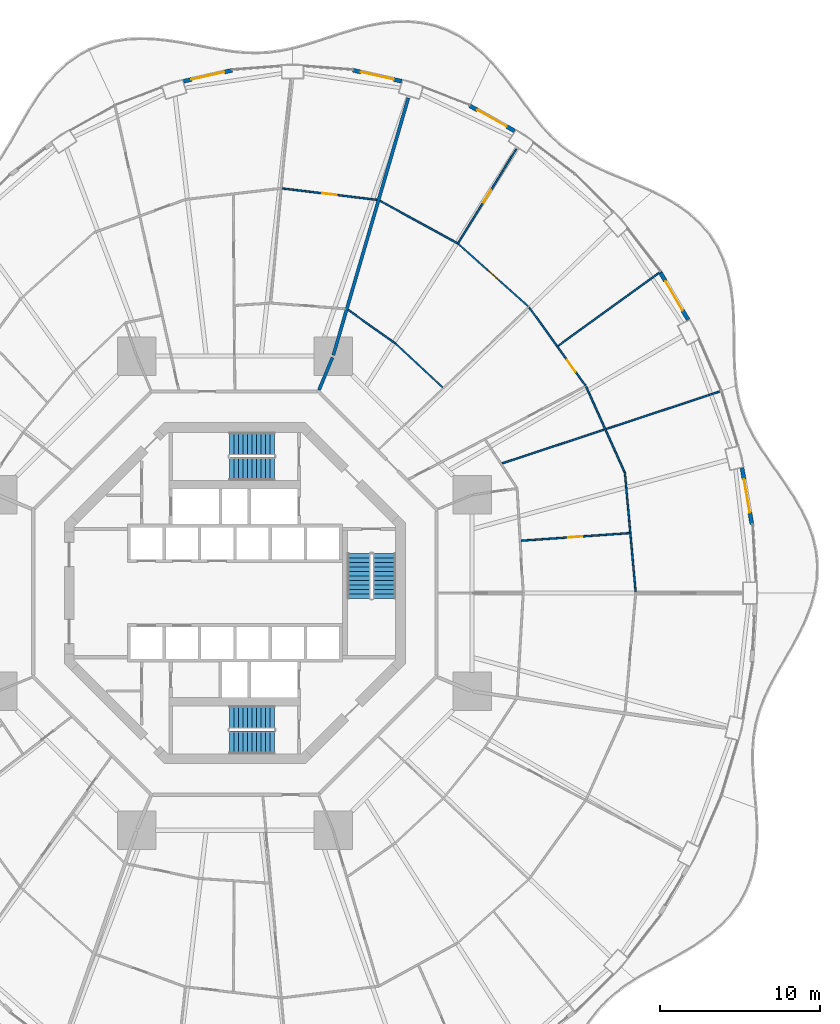
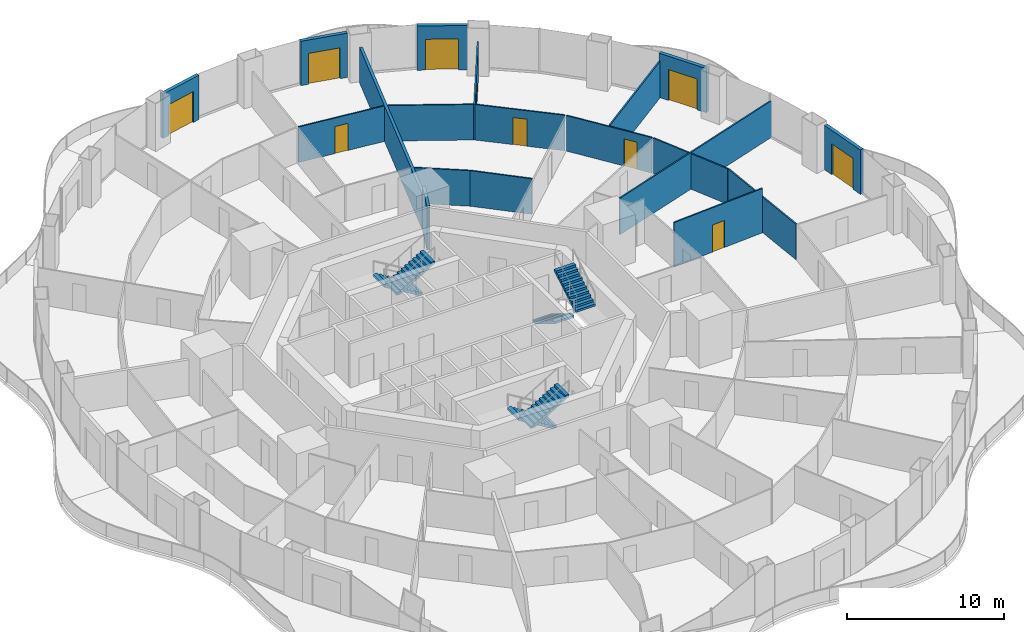
# One storey, part 19 of 22: 19 walls, 10 doors, 6 stair flights, 10 openings, 3 elements without a shape of their own.
"""IFC4 building model written with IfcOpenShell, lengths in metres."""

from ifc_helpers import new_model, si_unit, direction, frame, frame_2d, origin, place, context, subcontext, project, spatial, polyline, rectangle, outline, extrude, material, layer, layer_set, type_object, element, fill, aggregate, save


model = new_model("IFC4")

# Units and contexts
model_context = context("Model", 3, precision=1e-05, world=origin(), true_north=direction((0.0, 1.0)))
body_context = subcontext(model_context, "Body", "Model", "MODEL_VIEW")
ifc_project = project(units=[si_unit("LENGTHUNIT", "METRE"), si_unit("AREAUNIT", "SQUARE_METRE"), si_unit("VOLUMEUNIT", "CUBIC_METRE"), si_unit("PLANEANGLEUNIT", "RADIAN"), si_unit("MASSUNIT", "GRAM", prefix="KILO")], contexts=[model_context])

# Site, building, storey
site_placement = place(None, origin())
site = spatial("IfcSite", under=ifc_project, at=site_placement, CompositionType="ELEMENT")
building_placement = place(site_placement, origin())
building = spatial("IfcBuilding", under=site, at=building_placement, Name="Nagisa Residences", CompositionType="ELEMENT")
storey_placement = place(building_placement, frame((0.0, 0.0, 30.699951171875)))
storey = spatial("IfcBuildingStorey", under=building, at=storey_placement, Name="L06", CompositionType="ELEMENT", Elevation=30.699951171875)

# Walls
ifc_material_1 = material(Name="Gypsum board on steel studs", Category="steel")
ifc_layer_1 = layer(ifc_material_1, 0.199951171875)
ifc_layer_set_1 = layer_set([ifc_layer_1], Name="Apartment compartment wall EI60 200")
wall_type_1 = type_object("IfcWallType", Name="Apartment compartment wall EI60 200", PredefinedType="PARTITIONING", material=ifc_layer_set_1)
wall_1_placement = place(storey_placement, frame((5.24267578125, 12.6572265625, 0.0), z_axis=(0.0, 0.0, 1.0), x_axis=(0.382707856524, 0.923869415315, 0.0)))
element("IfcWall", 1, at=wall_1_placement, inside=storey, type_object=wall_type_1, Name="wall:L06:u00", PredefinedType="PARTITIONING", context=body_context, shape_type="SweptSolid", body=[
    extrude(rectangle(XDim=2.2001953125, YDim=0.199951171875, at=frame_2d((1.10009765625, 0.0))), origin(), (0.0, 0.0, 1.0), 3.43994140625),
])
wall_2_placement = place(storey_placement, frame((6.136962890625, 14.830078125, 0.0), z_axis=(0.0, 0.0, 1.0), x_axis=(0.27985745069, 0.960041565399, 0.0)))
element("IfcWall", 2, at=wall_2_placement, inside=storey, type_object=wall_type_1, Name="wall:L06:u01", PredefinedType="PARTITIONING", context=body_context, shape_type="SweptSolid", body=[
    extrude(rectangle(XDim=16.705078125, YDim=0.199951171875, at=frame_2d((8.3525390625, 0.0))), origin(), (0.0, 0.0, 1.0), 2.756103515625),
])
ifc_material_2 = material(Name="Gypsum board on steel studs", Category="steel")
ifc_layer_2 = layer(ifc_material_2, 0.10009765625)
ifc_layer_set_2 = layer_set([ifc_layer_2], Name="Apartment partition 100")
wall_type_2 = type_object("IfcWallType", Name="Apartment partition 100", PredefinedType="PARTITIONING", material=ifc_layer_set_2)
wall_3_placement = place(storey_placement, frame((24.982177734375, 0.0498046875, 0.0), z_axis=(0.0, 0.0, 1.0), x_axis=(-0.089444214321, 0.995991833563, 0.0)))
element("IfcWall", 3, at=wall_3_placement, inside=storey, type_object=wall_type_2, Name="wall:L06:u20", PredefinedType="PARTITIONING", context=body_context, shape_type="SweptSolid", body=[
    extrude(rectangle(XDim=7.522705078125, YDim=0.10009765625, at=frame_2d((3.76123046875, 0.0))), origin(), (0.0, 0.0, 1.0), 2.756103515625),
])

# Wall, opening, door
wall_4_placement = place(storey_placement, frame((17.8330078125, 3.266845703125, 0.0), z_axis=(0.0, 0.0, 1.0), x_axis=(0.997537184513, 0.070139614438, 0.0)))
wall_4 = element("IfcWall", 4, at=wall_4_placement, inside=storey, type_object=wall_type_2, Name="wall:L06:u22", PredefinedType="PARTITIONING", context=body_context, shape_type="SweptSolid", body=[
    extrude(rectangle(XDim=6.783935546875, YDim=0.10009765625, at=frame_2d((3.39208984375, 0.0))), origin(), (0.0, 0.0, 1.0), 3.43994140625),
])
opening_1_placement = place(wall_4_placement, frame((2.94189453125, 0.0, 0.0)))
opening_1 = element("IfcOpeningElement", 5, at=opening_1_placement, cuts=wall_4, Name="Opening L06-U11", PredefinedType="OPENING", context=body_context, shape_type="SweptSolid", body=[
    extrude(rectangle(XDim=0.89990234375, YDim=2.10009765625, at=frame_2d((0.449951171875, 1.050048828125))), frame((0.0, 0.06005859375, 0.0), z_axis=(0.0, -1.0, 0.0), x_axis=(1.0, 0.0, 0.0)), (0.0, 0.0, 1.0), 0.1201171875),
])
ifc_material_3 = material(Name="Timber door set", Category="wood")
door_type_1 = type_object("IfcDoorType", Name="Apartment door 900x2100", OperationType="NOTDEFINED", PredefinedType="DOOR", material=ifc_material_3)
door_1_placement = place(opening_1_placement, origin())
door_1 = element("IfcDoor", 6, at=door_1_placement, inside=storey, type_object=door_type_1, Name="Door to kitchen, Apartment 06A", OperationType="SINGLE_SWING_LEFT", OverallHeight=2.10009765625, OverallWidth=0.89990234375, PredefinedType="DOOR", context=body_context, shape_type="SweptSolid", body=[
    extrude(rectangle(XDim=0.89990234375, YDim=2.10009765625, at=frame_2d((0.449951171875, 1.050048828125))), frame((0.0, 0.02490234375, 0.0), z_axis=(0.0, -1.0, 0.0), x_axis=(1.0, 0.0, 0.0)), (0.0, 0.0, 1.0), 0.050048828125),
])
fill(opening_1, door_1)

# Walls
wall_5_placement = place(storey_placement, frame((24.293212890625, 7.5380859375, 0.0), z_axis=(0.0, 0.0, 1.0), x_axis=(-0.410197710154, 0.911996622025, 0.0)))
element("IfcWall", 7, at=wall_5_placement, inside=storey, type_object=wall_type_2, Name="wall:L06:u26", PredefinedType="PARTITIONING", context=body_context, shape_type="SweptSolid", body=[
    extrude(rectangle(XDim=5.8369140625, YDim=0.10009765625, at=frame_2d((2.91845703125, 0.0))), origin(), (0.0, 0.0, 1.0), 2.756103515625),
])
wall_6_placement = place(storey_placement, frame((16.634521484375, 8.077880859375, 0.0), z_axis=(0.0, 0.0, 1.0), x_axis=(0.949412285442, 0.314032342684, 0.0)))
element("IfcWall", 8, at=wall_6_placement, inside=storey, type_object=wall_type_2, Name="wall:L06:u27", PredefinedType="PARTITIONING", context=body_context, shape_type="SweptSolid", body=[
    extrude(rectangle(XDim=14.450927734375, YDim=0.10009765625, at=frame_2d((7.2255859375, 0.0))), origin(), (0.0, 0.0, 1.0), 2.837158203125),
])

# Wall, opening, door
wall_7_placement = place(storey_placement, frame((21.849365234375, 12.947509765625, 0.0), z_axis=(0.0, 0.0, 1.0), x_axis=(-0.584563700282, 0.811347817099, 0.0)))
wall_7 = element("IfcWall", 9, at=wall_7_placement, inside=storey, type_object=wall_type_2, Name="wall:L06:u29", PredefinedType="PARTITIONING", context=body_context, shape_type="SweptSolid", body=[
    extrude(rectangle(XDim=5.984375, YDim=0.10009765625, at=frame_2d((2.9921875, 0.0))), origin(), (0.0, 0.0, 1.0), 2.756103515625),
])
opening_2_placement = place(wall_7_placement, frame((1.046142578125, 0.0, 0.0)))
opening_2 = element("IfcOpeningElement", 10, at=opening_2_placement, cuts=wall_7, Name="Opening L06-U06", PredefinedType="OPENING", context=body_context, shape_type="SweptSolid", body=[
    extrude(rectangle(XDim=0.89990234375, YDim=2.10009765625, at=frame_2d((0.449951171875, 1.050048828125))), frame((0.0, 0.06005859375, 0.0), z_axis=(0.0, -1.0, 0.0), x_axis=(1.0, 0.0, 0.0)), (0.0, 0.0, 1.0), 0.1201171875),
])
door_2_placement = place(opening_2_placement, frame((0.89990234375, 0.0, 0.0), x_axis=(-1.0, 0.0, 0.0)))
door_2 = element("IfcDoor", 11, at=door_2_placement, inside=storey, type_object=door_type_1, Name="Door to master bedroom, Apartment 06A", OperationType="SINGLE_SWING_LEFT", OverallHeight=2.10009765625, OverallWidth=0.89990234375, PredefinedType="DOOR", context=body_context, shape_type="SweptSolid", body=[
    extrude(rectangle(XDim=0.89990234375, YDim=2.10009765625, at=frame_2d((0.449951171875, 1.050048828125))), frame((0.0, 0.02490234375, 0.0), z_axis=(0.0, -1.0, 0.0), x_axis=(1.0, 0.0, 0.0)), (0.0, 0.0, 1.0), 0.050048828125),
])
fill(opening_2, door_2)

# Walls
wall_8_placement = place(storey_placement, frame((20.140625, 15.404541015625, 0.0), z_axis=(0.0, 0.0, 1.0), x_axis=(0.809834895779, 0.58665785734, 0.0)))
element("IfcWall", 12, at=wall_8_placement, inside=storey, type_object=wall_type_2, Name="wall:L06:u30", PredefinedType="PARTITIONING", context=body_context, shape_type="SweptSolid", body=[
    extrude(rectangle(XDim=7.9453125, YDim=0.10009765625, at=frame_2d((3.97265625, 0.0))), origin(), (0.0, 0.0, 1.0), 2.837158203125),
])
wall_9_placement = place(storey_placement, frame((12.957763671875, 12.820068359375, 0.0), z_axis=(0.0, 0.0, 1.0), x_axis=(-0.732028724098, 0.681273768096, 0.0)))
element("IfcWall", 13, at=wall_9_placement, inside=storey, type_object=wall_type_2, Name="wall:L06:u32", PredefinedType="PARTITIONING", context=body_context, shape_type="SweptSolid", body=[
    extrude(rectangle(XDim=4.05029296875, YDim=0.10009765625, at=frame_2d((2.025146484375, 0.0))), origin(), (0.0, 0.0, 1.0), 2.756103515625),
])

# Wall, opening, door
wall_10_placement = place(storey_placement, frame((18.28466796875, 17.876953125, 0.0), z_axis=(0.0, 0.0, 1.0), x_axis=(-0.745806142791, 0.666163041136, 0.0)))
wall_10 = element("IfcWall", 14, at=wall_10_placement, inside=storey, type_object=wall_type_2, Name="wall:L06:u33", PredefinedType="PARTITIONING", context=body_context, shape_type="SweptSolid", body=[
    extrude(rectangle(XDim=5.83056640625, YDim=0.10009765625, at=frame_2d((2.915283203125, 0.0))), origin(), (0.0, 0.0, 1.0), 2.756103515625),
])
opening_3_placement = place(wall_10_placement, frame((2.46533203125, 0.0, 0.0)))
opening_3 = element("IfcOpeningElement", 15, at=opening_3_placement, cuts=wall_10, Name="Opening L06-U07", PredefinedType="OPENING", context=body_context, shape_type="SweptSolid", body=[
    extrude(rectangle(XDim=0.89990234375, YDim=2.10009765625, at=frame_2d((0.449951171875, 1.050048828125))), frame((0.0, 0.06005859375, 0.0), z_axis=(0.0, -1.0, 0.0), x_axis=(1.0, 0.0, 0.0)), (0.0, 0.0, 1.0), 0.1201171875),
])
door_3_placement = place(opening_3_placement, frame((0.89990234375, 0.0, 0.0), x_axis=(-1.0, 0.0, 0.0)))
door_3 = element("IfcDoor", 16, at=door_3_placement, inside=storey, type_object=door_type_1, Name="Door to family room, Apartment 06A", OperationType="SINGLE_SWING_RIGHT", OverallHeight=2.10009765625, OverallWidth=0.89990234375, PredefinedType="DOOR", context=body_context, shape_type="SweptSolid", body=[
    extrude(rectangle(XDim=0.89990234375, YDim=2.10009765625, at=frame_2d((0.449951171875, 1.050048828125))), frame((0.0, 0.02490234375, 0.0), z_axis=(0.0, -1.0, 0.0), x_axis=(1.0, 0.0, 0.0)), (0.0, 0.0, 1.0), 0.050048828125),
])
fill(opening_3, door_3)

# Wall
wall_11_placement = place(storey_placement, frame((9.98876953125, 15.57421875, 0.0), z_axis=(0.0, 0.0, 1.0), x_axis=(-0.81492039338, 0.57957290521, 0.0)))
element("IfcWall", 17, at=wall_11_placement, inside=storey, type_object=wall_type_2, Name="wall:L06:u34", PredefinedType="PARTITIONING", context=body_context, shape_type="SweptSolid", body=[
    extrude(rectangle(XDim=3.594482421875, YDim=0.10009765625, at=frame_2d((1.79736328125, 0.0))), origin(), (0.0, 0.0, 1.0), 2.756103515625),
])

# Wall, opening, door
wall_12_placement = place(storey_placement, frame((13.87255859375, 21.751708984375, 0.0), z_axis=(0.0, 0.0, 1.0), x_axis=(0.52644491616, 0.850209239099, 0.0)))
wall_12 = element("IfcWall", 18, at=wall_12_placement, inside=storey, type_object=wall_type_2, Name="wall:L06:u35", PredefinedType="PARTITIONING", context=body_context, shape_type="SweptSolid", body=[
    extrude(rectangle(XDim=6.98046875, YDim=0.10009765625, at=frame_2d((3.490234375, 0.0))), origin(), (0.0, 0.0, 1.0), 2.756103515625),
])
opening_4_placement = place(wall_12_placement, frame((3.065185546875, 0.0, 0.0)))
opening_4 = element("IfcOpeningElement", 19, at=opening_4_placement, cuts=wall_12, Name="Opening L06-U08", PredefinedType="OPENING", context=body_context, shape_type="SweptSolid", body=[
    extrude(rectangle(XDim=0.89990234375, YDim=2.10009765625, at=frame_2d((0.449951171875, 1.050048828125))), frame((0.0, 0.06005859375, 0.0), z_axis=(0.0, -1.0, 0.0), x_axis=(1.0, 0.0, 0.0)), (0.0, 0.0, 1.0), 0.1201171875),
])
door_4_placement = place(opening_4_placement, origin())
door_4 = element("IfcDoor", 20, at=door_4_placement, inside=storey, type_object=door_type_1, Name="Door to master bedroom, Apartment 06A", OperationType="SINGLE_SWING_RIGHT", OverallHeight=2.10009765625, OverallWidth=0.89990234375, PredefinedType="DOOR", context=body_context, shape_type="SweptSolid", body=[
    extrude(rectangle(XDim=0.89990234375, YDim=2.10009765625, at=frame_2d((0.449951171875, 1.050048828125))), frame((0.0, 0.02490234375, 0.0), z_axis=(0.0, -1.0, 0.0), x_axis=(1.0, 0.0, 0.0)), (0.0, 0.0, 1.0), 0.050048828125),
])
fill(opening_4, door_4)

# Wall
wall_13_placement = place(storey_placement, frame((13.85498046875, 21.818359375, 0.0), z_axis=(0.0, 0.0, 1.0), x_axis=(-0.876809987787, 0.480837025734, 0.0)))
element("IfcWall", 21, at=wall_13_placement, inside=storey, type_object=wall_type_2, Name="wall:L06:u36", PredefinedType="PARTITIONING", context=body_context, shape_type="SweptSolid", body=[
    extrude(rectangle(XDim=5.486083984375, YDim=0.10009765625, at=frame_2d((2.7431640625, 0.0))), origin(), (0.0, 0.0, 1.0), 2.756103515625),
])

# Wall, opening, door
wall_14_placement = place(storey_placement, frame((8.857666015625, 24.516357421875, 0.0), z_axis=(0.0, 0.0, 1.0), x_axis=(-0.992834127896, 0.119500604542, 0.0)))
wall_14 = element("IfcWall", 22, at=wall_14_placement, inside=storey, type_object=wall_type_2, Name="wall:L06:u38", PredefinedType="PARTITIONING", context=body_context, shape_type="SweptSolid", body=[
    extrude(rectangle(XDim=5.95947265625, YDim=0.10009765625, at=frame_2d((2.979736328125, 0.0))), origin(), (0.0, 0.0, 1.0), 2.756103515625),
])
opening_5_placement = place(wall_14_placement, frame((2.52978515625, 0.0, 0.0)))
opening_5 = element("IfcOpeningElement", 23, at=opening_5_placement, cuts=wall_14, Name="Opening L06-U22", PredefinedType="OPENING", context=body_context, shape_type="SweptSolid", body=[
    extrude(rectangle(XDim=0.89990234375, YDim=2.10009765625, at=frame_2d((0.449951171875, 1.050048828125))), frame((0.0, 0.06005859375, 0.0), z_axis=(0.0, -1.0, 0.0), x_axis=(1.0, 0.0, 0.0)), (0.0, 0.0, 1.0), 0.1201171875),
])
door_5_placement = place(opening_5_placement, frame((0.89990234375, 0.0, 0.0), x_axis=(-1.0, 0.0, 0.0)))
door_5 = element("IfcDoor", 24, at=door_5_placement, inside=storey, type_object=door_type_1, Name="Door to master bedroom, Apartment 06B", OperationType="SINGLE_SWING_LEFT", OverallHeight=2.10009765625, OverallWidth=0.89990234375, PredefinedType="DOOR", context=body_context, shape_type="SweptSolid", body=[
    extrude(rectangle(XDim=0.89990234375, YDim=2.10009765625, at=frame_2d((0.449951171875, 1.050048828125))), frame((0.0, 0.02490234375, 0.0), z_axis=(0.0, -1.0, 0.0), x_axis=(1.0, 0.0, 0.0)), (0.0, 0.0, 1.0), 0.050048828125),
])
fill(opening_5, door_5)

ifc_material_4 = material(Name="Precast concrete C40/50", Category="concrete")
ifc_layer_3 = layer(ifc_material_4, 0.25)
ifc_layer_set_3 = layer_set([ifc_layer_3], Name="BALCONY DOOR WALL 250")
wall_type_3 = type_object("IfcWallType", Name="BALCONY DOOR WALL 250", PredefinedType="SOLIDWALL", material=ifc_layer_set_3)
wall_15_placement = place(storey_placement, frame((31.609130859375, 7.830078125, 0.0), z_axis=(0.0, 0.0, 1.0), x_axis=(0.172217377323, -0.98505897029, 0.0)))
wall_15 = element("IfcWall", 25, at=wall_15_placement, inside=storey, type_object=wall_type_3, Name="wall:L06:bay01", PredefinedType="SOLIDWALL", context=body_context, shape_type="SweptSolid", body=[
    extrude(rectangle(XDim=3.597900390625, YDim=0.25, at=frame_2d((1.798828125, 0.0))), origin(), (0.0, 0.0, 1.0), 3.43994140625),
])
opening_6_placement = place(wall_15_placement, frame((0.7490234375, 0.0, 0.0)))
opening_6 = element("IfcOpeningElement", 26, at=opening_6_placement, cuts=wall_15, Name="Opening BD-L06-01", PredefinedType="OPENING", context=body_context, shape_type="SweptSolid", body=[
    extrude(rectangle(XDim=2.10009765625, YDim=2.39990234375, at=frame_2d((1.050048828125, 1.199951171875))), frame((0.0, 0.135009765625, 0.0), z_axis=(0.0, -1.0, 0.0), x_axis=(1.0, 0.0, 0.0)), (0.0, 0.0, 1.0), 0.27001953125),
])
ifc_material_5 = material(Name="Aluminium and clear glass", Category="aluminium")
door_type_2 = type_object("IfcDoorType", Name="BALCONY SLIDING DOOR 2100x2400", OperationType="SLIDING_TO_LEFT", PredefinedType="DOOR", material=ifc_material_5)
door_6_placement = place(opening_6_placement, origin())
door_6 = element("IfcDoor", 27, at=door_6_placement, inside=storey, type_object=door_type_2, Name="door:L06:bay01", OperationType="SLIDING_TO_LEFT", OverallHeight=2.39990234375, OverallWidth=2.10009765625, PredefinedType="DOOR", context=body_context, shape_type="SweptSolid", body=[
    extrude(rectangle(XDim=2.10009765625, YDim=2.39990234375, at=frame_2d((1.050048828125, 1.199951171875))), frame((0.0, 0.02490234375, 0.0), z_axis=(0.0, -1.0, 0.0), x_axis=(1.0, 0.0, 0.0)), (0.0, 0.0, 1.0), 0.050048828125),
])
fill(opening_6, door_6)

wall_16_placement = place(storey_placement, frame((26.49951171875, 20.02587890625, 0.0), z_axis=(0.0, 0.0, 1.0), x_axis=(0.506311160839, -0.862350861546, 0.0)))
wall_16 = element("IfcWall", 28, at=wall_16_placement, inside=storey, type_object=wall_type_3, Name="wall:L06:bay04", PredefinedType="SOLIDWALL", context=body_context, shape_type="SweptSolid", body=[
    extrude(rectangle(XDim=3.462158203125, YDim=0.25, at=frame_2d((1.73095703125, 0.0))), origin(), (0.0, 0.0, 1.0), 3.43994140625),
])
opening_7_placement = place(wall_16_placement, frame((0.68115234375, 0.0, 0.0)))
opening_7 = element("IfcOpeningElement", 29, at=opening_7_placement, cuts=wall_16, Name="Opening BD-L06-02", PredefinedType="OPENING", context=body_context, shape_type="SweptSolid", body=[
    extrude(rectangle(XDim=2.10009765625, YDim=2.39990234375, at=frame_2d((1.050048828125, 1.199951171875))), frame((0.0, 0.135009765625, 0.0), z_axis=(0.0, -1.0, 0.0), x_axis=(1.0, 0.0, 0.0)), (0.0, 0.0, 1.0), 0.27001953125),
])
door_7_placement = place(opening_7_placement, origin())
door_7 = element("IfcDoor", 30, at=door_7_placement, inside=storey, type_object=door_type_2, Name="door:L06:bay04", OperationType="SLIDING_TO_LEFT", OverallHeight=2.39990234375, OverallWidth=2.10009765625, PredefinedType="DOOR", context=body_context, shape_type="SweptSolid", body=[
    extrude(rectangle(XDim=2.10009765625, YDim=2.39990234375, at=frame_2d((1.050048828125, 1.199951171875))), frame((0.0, 0.02490234375, 0.0), z_axis=(0.0, -1.0, 0.0), x_axis=(1.0, 0.0, 0.0)), (0.0, 0.0, 1.0), 0.050048828125),
])
fill(opening_7, door_7)

wall_17_placement = place(storey_placement, frame((14.63671875, 30.37890625, 0.0), z_axis=(0.0, 0.0, 1.0), x_axis=(0.872102558443, -0.489323132048, 0.0)))
wall_17 = element("IfcWall", 31, at=wall_17_placement, inside=storey, type_object=wall_type_3, Name="wall:L06:bay08", PredefinedType="SOLIDWALL", context=body_context, shape_type="SweptSolid", body=[
    extrude(rectangle(XDim=3.201171875, YDim=0.25, at=frame_2d((1.6005859375, 0.0))), origin(), (0.0, 0.0, 1.0), 3.43994140625),
])
opening_8_placement = place(wall_17_placement, frame((0.550537109375, 0.0, 0.0)))
opening_8 = element("IfcOpeningElement", 32, at=opening_8_placement, cuts=wall_17, Name="Opening BD-L06-03", PredefinedType="OPENING", context=body_context, shape_type="SweptSolid", body=[
    extrude(rectangle(XDim=2.10009765625, YDim=2.39990234375, at=frame_2d((1.050048828125, 1.199951171875))), frame((0.0, 0.135009765625, 0.0), z_axis=(0.0, -1.0, 0.0), x_axis=(1.0, 0.0, 0.0)), (0.0, 0.0, 1.0), 0.27001953125),
])
door_8_placement = place(opening_8_placement, origin())
door_8 = element("IfcDoor", 33, at=door_8_placement, inside=storey, type_object=door_type_2, Name="door:L06:bay08", OperationType="SLIDING_TO_LEFT", OverallHeight=2.39990234375, OverallWidth=2.10009765625, PredefinedType="DOOR", context=body_context, shape_type="SweptSolid", body=[
    extrude(rectangle(XDim=2.10009765625, YDim=2.39990234375, at=frame_2d((1.050048828125, 1.199951171875))), frame((0.0, 0.02490234375, 0.0), z_axis=(0.0, -1.0, 0.0), x_axis=(1.0, 0.0, 0.0)), (0.0, 0.0, 1.0), 0.050048828125),
])
fill(opening_8, door_8)

wall_18_placement = place(storey_placement, frame((7.357666015625, 32.595703125, 0.0), z_axis=(0.0, 0.0, 1.0), x_axis=(0.97533495413, -0.220729987208, 0.0)))
wall_18 = element("IfcWall", 34, at=wall_18_placement, inside=storey, type_object=wall_type_3, Name="wall:L06:bay10", PredefinedType="SOLIDWALL", context=body_context, shape_type="SweptSolid", body=[
    extrude(rectangle(XDim=3.11474609375, YDim=0.25, at=frame_2d((1.557373046875, 0.0))), origin(), (0.0, 0.0, 1.0), 3.43994140625),
])
opening_9_placement = place(wall_18_placement, frame((0.50732421875, 0.0, 0.0)))
opening_9 = element("IfcOpeningElement", 35, at=opening_9_placement, cuts=wall_18, Name="Opening BD-L06-04", PredefinedType="OPENING", context=body_context, shape_type="SweptSolid", body=[
    extrude(rectangle(XDim=2.10009765625, YDim=2.39990234375, at=frame_2d((1.050048828125, 1.199951171875))), frame((0.0, 0.135009765625, 0.0), z_axis=(0.0, -1.0, 0.0), x_axis=(1.0, 0.0, 0.0)), (0.0, 0.0, 1.0), 0.27001953125),
])
door_9_placement = place(opening_9_placement, origin())
door_9 = element("IfcDoor", 36, at=door_9_placement, inside=storey, type_object=door_type_2, Name="door:L06:bay10", OperationType="SLIDING_TO_LEFT", OverallHeight=2.39990234375, OverallWidth=2.10009765625, PredefinedType="DOOR", context=body_context, shape_type="SweptSolid", body=[
    extrude(rectangle(XDim=2.10009765625, YDim=2.39990234375, at=frame_2d((1.050048828125, 1.199951171875))), frame((0.0, 0.02490234375, 0.0), z_axis=(0.0, -1.0, 0.0), x_axis=(1.0, 0.0, 0.0)), (0.0, 0.0, 1.0), 0.050048828125),
])
fill(opening_9, door_9)

wall_19_placement = place(storey_placement, frame((-3.1953125, 31.908203125, 0.0), z_axis=(0.0, 0.0, 1.0), x_axis=(0.975331134677, 0.220746863466, 0.0)))
wall_19 = element("IfcWall", 37, at=wall_19_placement, inside=storey, type_object=wall_type_3, Name="wall:L06:bay13", PredefinedType="SOLIDWALL", context=body_context, shape_type="SweptSolid", body=[
    extrude(rectangle(XDim=3.114501953125, YDim=0.25, at=frame_2d((1.55712890625, 0.0))), origin(), (0.0, 0.0, 1.0), 3.43994140625),
])
opening_10_placement = place(wall_19_placement, frame((0.50732421875, 0.0, 0.0)))
opening_10 = element("IfcOpeningElement", 38, at=opening_10_placement, cuts=wall_19, Name="Opening BD-L06-05", PredefinedType="OPENING", context=body_context, shape_type="SweptSolid", body=[
    extrude(rectangle(XDim=2.10009765625, YDim=2.39990234375, at=frame_2d((1.050048828125, 1.199951171875))), frame((0.0, 0.135009765625, 0.0), z_axis=(0.0, -1.0, 0.0), x_axis=(1.0, 0.0, 0.0)), (0.0, 0.0, 1.0), 0.27001953125),
])
door_10_placement = place(opening_10_placement, origin())
door_10 = element("IfcDoor", 39, at=door_10_placement, inside=storey, type_object=door_type_2, Name="door:L06:bay13", OperationType="SLIDING_TO_LEFT", OverallHeight=2.39990234375, OverallWidth=2.10009765625, PredefinedType="DOOR", context=body_context, shape_type="SweptSolid", body=[
    extrude(rectangle(XDim=2.10009765625, YDim=2.39990234375, at=frame_2d((1.050048828125, 1.199951171875))), frame((0.0, 0.02490234375, 0.0), z_axis=(0.0, -1.0, 0.0), x_axis=(1.0, 0.0, 0.0)), (0.0, 0.0, 1.0), 0.050048828125),
])
fill(opening_10, door_10)

# Stair, stair flights
ifc_material_6 = material(Name="Concrete C60", Category="concrete")
stair_type = type_object("IfcStairType", Name="Exit stair", PredefinedType="HALF_TURN_STAIR", material=ifc_material_6)
stair_1_placement = place(storey_placement, origin())
stair_1 = element("IfcStair", 40, at=stair_1_placement, inside=storey, type_object=stair_type, Name="L06 Exit stair E", PredefinedType="HALF_TURN_STAIR")
ifc_material_7 = material(Name="Concrete C60", Category="concrete")
stair_flight_type = type_object("IfcStairFlightType", Name="Exit stair flight", PredefinedType="STRAIGHT", material=ifc_material_7)
stair_flight_1_placement = place(storey_placement, frame((7.737060546875, 2.47509765625, 0.0), z_axis=(0.0, 0.0, 1.0), x_axis=(0.0, -1.0, 0.0)))
stair_flight_1 = element("IfcStairFlight", 41, at=stair_flight_1_placement, type_object=stair_flight_type, Name="ST-E flight 1", NumberOfRisers=11, NumberOfTreads=10, PredefinedType="STRAIGHT", RiserHeight=0.168181818, TreadLength=0.28, context=body_context, shape_type="SweptSolid", body=[
    extrude(outline(polyline([(0.0, 0.0), (0.0, 0.168212890625), (0.280029296875, 0.168212890625), (0.280029296875, 0.33642578125), (0.56005859375, 0.33642578125), (0.56005859375, 0.504638671875), (0.840087890625, 0.504638671875), (0.840087890625, 0.672607421875), (1.1201171875, 0.672607421875), (1.1201171875, 0.8408203125), (1.39990234375, 0.8408203125), (1.39990234375, 1.009033203125), (1.679931640625, 1.009033203125), (1.679931640625, 1.17724609375), (1.9599609375, 1.17724609375), (1.9599609375, 1.345458984375), (2.239990234375, 1.345458984375), (2.239990234375, 1.513671875), (2.52001953125, 1.513671875), (2.52001953125, 1.681884765625), (2.800048828125, 1.681884765625), (2.800048828125, 1.85009765625), (2.800048828125, 1.5068359375), (0.291015625, 0.0), (0.0, 0.0)])), frame((0.0, 0.71240234375, 0.0), z_axis=(0.0, -1.0, 0.0), x_axis=(1.0, 0.0, 0.0)), (0.0, 0.0, 1.0), 1.425048828125),
])
stair_flight_2_placement = place(storey_placement, frame((9.31201171875, -0.324951171875, 1.85009765625), z_axis=(0.0, 0.0, 1.0), x_axis=(0.0, 1.0, 0.0)))
stair_flight_2 = element("IfcStairFlight", 42, at=stair_flight_2_placement, type_object=stair_flight_type, Name="ST-E flight 2", NumberOfRisers=11, NumberOfTreads=10, PredefinedType="STRAIGHT", RiserHeight=0.168181818, TreadLength=0.28, context=body_context, shape_type="SweptSolid", body=[
    extrude(outline(polyline([(0.0, 0.0), (0.0, 0.168212890625), (0.280029296875, 0.168212890625), (0.280029296875, 0.33642578125), (0.56005859375, 0.33642578125), (0.56005859375, 0.504638671875), (0.840087890625, 0.504638671875), (0.840087890625, 0.672607421875), (1.1201171875, 0.672607421875), (1.1201171875, 0.8408203125), (1.39990234375, 0.8408203125), (1.39990234375, 1.009033203125), (1.679931640625, 1.009033203125), (1.679931640625, 1.17724609375), (1.9599609375, 1.17724609375), (1.9599609375, 1.345458984375), (2.239990234375, 1.345458984375), (2.239990234375, 1.513671875), (2.52001953125, 1.513671875), (2.52001953125, 1.681884765625), (2.800048828125, 1.681884765625), (2.800048828125, 1.85009765625), (2.800048828125, 1.5068359375), (0.291015625, 0.0), (0.0, 0.0)])), frame((0.0, 0.71240234375, 0.0), z_axis=(0.0, -1.0, 0.0), x_axis=(1.0, 0.0, 0.0)), (0.0, 0.0, 1.0), 1.425048828125),
])
aggregate(stair_1, [stair_flight_1, stair_flight_2])

stair_2_placement = place(storey_placement, origin())
stair_2 = element("IfcStair", 43, at=stair_2_placement, inside=storey, type_object=stair_type, Name="L06 Exit stair N", PredefinedType="HALF_TURN_STAIR")
stair_flight_3_placement = place(storey_placement, frame((2.47509765625, 9.31201171875, 0.0), z_axis=(0.0, 0.0, 1.0), x_axis=(-1.0, 0.0, 0.0)))
stair_flight_3 = element("IfcStairFlight", 44, at=stair_flight_3_placement, type_object=stair_flight_type, Name="ST-N flight 1", NumberOfRisers=11, NumberOfTreads=10, PredefinedType="STRAIGHT", RiserHeight=0.168181818, TreadLength=0.28, context=body_context, shape_type="SweptSolid", body=[
    extrude(outline(polyline([(0.0, 0.0), (0.0, 0.168212890625), (0.280029296875, 0.168212890625), (0.280029296875, 0.33642578125), (0.56005859375, 0.33642578125), (0.56005859375, 0.504638671875), (0.840087890625, 0.504638671875), (0.840087890625, 0.672607421875), (1.1201171875, 0.672607421875), (1.1201171875, 0.8408203125), (1.39990234375, 0.8408203125), (1.39990234375, 1.009033203125), (1.679931640625, 1.009033203125), (1.679931640625, 1.17724609375), (1.9599609375, 1.17724609375), (1.9599609375, 1.345458984375), (2.239990234375, 1.345458984375), (2.239990234375, 1.513671875), (2.52001953125, 1.513671875), (2.52001953125, 1.681884765625), (2.800048828125, 1.681884765625), (2.800048828125, 1.85009765625), (2.800048828125, 1.5068359375), (0.291015625, 0.0), (0.0, 0.0)])), frame((0.0, 0.71240234375, 0.0), z_axis=(0.0, -1.0, 0.0), x_axis=(1.0, 0.0, 0.0)), (0.0, 0.0, 1.0), 1.425048828125),
])
stair_flight_4_placement = place(storey_placement, frame((-0.324951171875, 7.737060546875, 1.85009765625), z_axis=(0.0, 0.0, 1.0), x_axis=(1.0, 0.0, 0.0)))
stair_flight_4 = element("IfcStairFlight", 45, at=stair_flight_4_placement, type_object=stair_flight_type, Name="ST-N flight 2", NumberOfRisers=11, NumberOfTreads=10, PredefinedType="STRAIGHT", RiserHeight=0.168181818, TreadLength=0.28, context=body_context, shape_type="SweptSolid", body=[
    extrude(outline(polyline([(0.0, 0.0), (0.0, 0.168212890625), (0.280029296875, 0.168212890625), (0.280029296875, 0.33642578125), (0.56005859375, 0.33642578125), (0.56005859375, 0.504638671875), (0.840087890625, 0.504638671875), (0.840087890625, 0.672607421875), (1.1201171875, 0.672607421875), (1.1201171875, 0.8408203125), (1.39990234375, 0.8408203125), (1.39990234375, 1.009033203125), (1.679931640625, 1.009033203125), (1.679931640625, 1.17724609375), (1.9599609375, 1.17724609375), (1.9599609375, 1.345458984375), (2.239990234375, 1.345458984375), (2.239990234375, 1.513671875), (2.52001953125, 1.513671875), (2.52001953125, 1.681884765625), (2.800048828125, 1.681884765625), (2.800048828125, 1.85009765625), (2.800048828125, 1.5068359375), (0.291015625, 0.0), (0.0, 0.0)])), frame((0.0, 0.71240234375, 0.0), z_axis=(0.0, -1.0, 0.0), x_axis=(1.0, 0.0, 0.0)), (0.0, 0.0, 1.0), 1.425048828125),
])
aggregate(stair_2, [stair_flight_3, stair_flight_4])

stair_3_placement = place(storey_placement, origin())
stair_3 = element("IfcStair", 46, at=stair_3_placement, inside=storey, type_object=stair_type, Name="L06 Exit stair S", PredefinedType="HALF_TURN_STAIR")
stair_flight_5_placement = place(storey_placement, frame((2.47509765625, -7.737060546875, 0.0), z_axis=(0.0, 0.0, 1.0), x_axis=(-1.0, 0.0, 0.0)))
stair_flight_5 = element("IfcStairFlight", 47, at=stair_flight_5_placement, type_object=stair_flight_type, Name="ST-S flight 1", NumberOfRisers=11, NumberOfTreads=10, PredefinedType="STRAIGHT", RiserHeight=0.168181818, TreadLength=0.28, context=body_context, shape_type="SweptSolid", body=[
    extrude(outline(polyline([(0.0, 0.0), (0.0, 0.168212890625), (0.280029296875, 0.168212890625), (0.280029296875, 0.33642578125), (0.56005859375, 0.33642578125), (0.56005859375, 0.504638671875), (0.840087890625, 0.504638671875), (0.840087890625, 0.672607421875), (1.1201171875, 0.672607421875), (1.1201171875, 0.8408203125), (1.39990234375, 0.8408203125), (1.39990234375, 1.009033203125), (1.679931640625, 1.009033203125), (1.679931640625, 1.17724609375), (1.9599609375, 1.17724609375), (1.9599609375, 1.345458984375), (2.239990234375, 1.345458984375), (2.239990234375, 1.513671875), (2.52001953125, 1.513671875), (2.52001953125, 1.681884765625), (2.800048828125, 1.681884765625), (2.800048828125, 1.85009765625), (2.800048828125, 1.5068359375), (0.291015625, 0.0), (0.0, 0.0)])), frame((0.0, 0.71240234375, 0.0), z_axis=(0.0, -1.0, 0.0), x_axis=(1.0, 0.0, 0.0)), (0.0, 0.0, 1.0), 1.425048828125),
])
stair_flight_6_placement = place(storey_placement, frame((-0.324951171875, -9.31201171875, 1.85009765625), z_axis=(0.0, 0.0, 1.0), x_axis=(1.0, 0.0, 0.0)))
stair_flight_6 = element("IfcStairFlight", 48, at=stair_flight_6_placement, type_object=stair_flight_type, Name="ST-S flight 2", NumberOfRisers=11, NumberOfTreads=10, PredefinedType="STRAIGHT", RiserHeight=0.168181818, TreadLength=0.28, context=body_context, shape_type="SweptSolid", body=[
    extrude(outline(polyline([(0.0, 0.0), (0.0, 0.168212890625), (0.280029296875, 0.168212890625), (0.280029296875, 0.33642578125), (0.56005859375, 0.33642578125), (0.56005859375, 0.504638671875), (0.840087890625, 0.504638671875), (0.840087890625, 0.672607421875), (1.1201171875, 0.672607421875), (1.1201171875, 0.8408203125), (1.39990234375, 0.8408203125), (1.39990234375, 1.009033203125), (1.679931640625, 1.009033203125), (1.679931640625, 1.17724609375), (1.9599609375, 1.17724609375), (1.9599609375, 1.345458984375), (2.239990234375, 1.345458984375), (2.239990234375, 1.513671875), (2.52001953125, 1.513671875), (2.52001953125, 1.681884765625), (2.800048828125, 1.681884765625), (2.800048828125, 1.85009765625), (2.800048828125, 1.5068359375), (0.291015625, 0.0), (0.0, 0.0)])), frame((0.0, 0.71240234375, 0.0), z_axis=(0.0, -1.0, 0.0), x_axis=(1.0, 0.0, 0.0)), (0.0, 0.0, 1.0), 1.425048828125),
])
aggregate(stair_3, [stair_flight_5, stair_flight_6])

save(model, "model.ifc")
